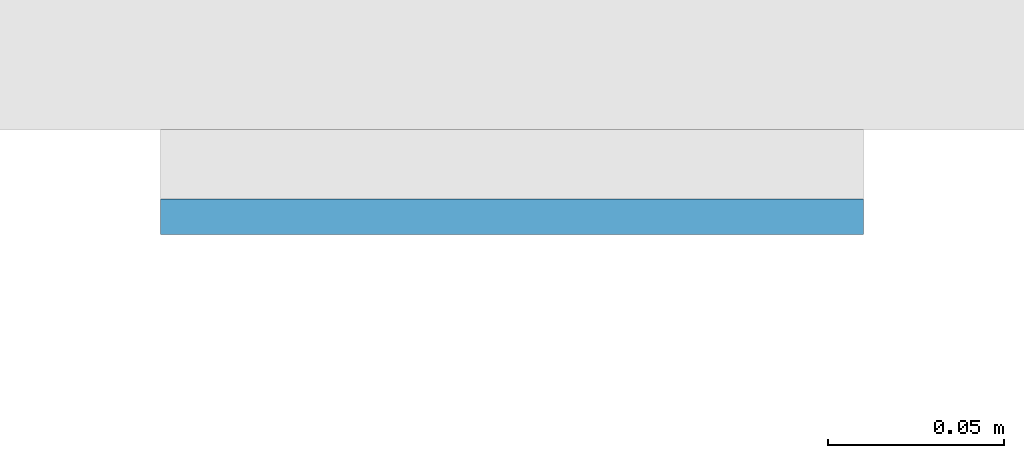
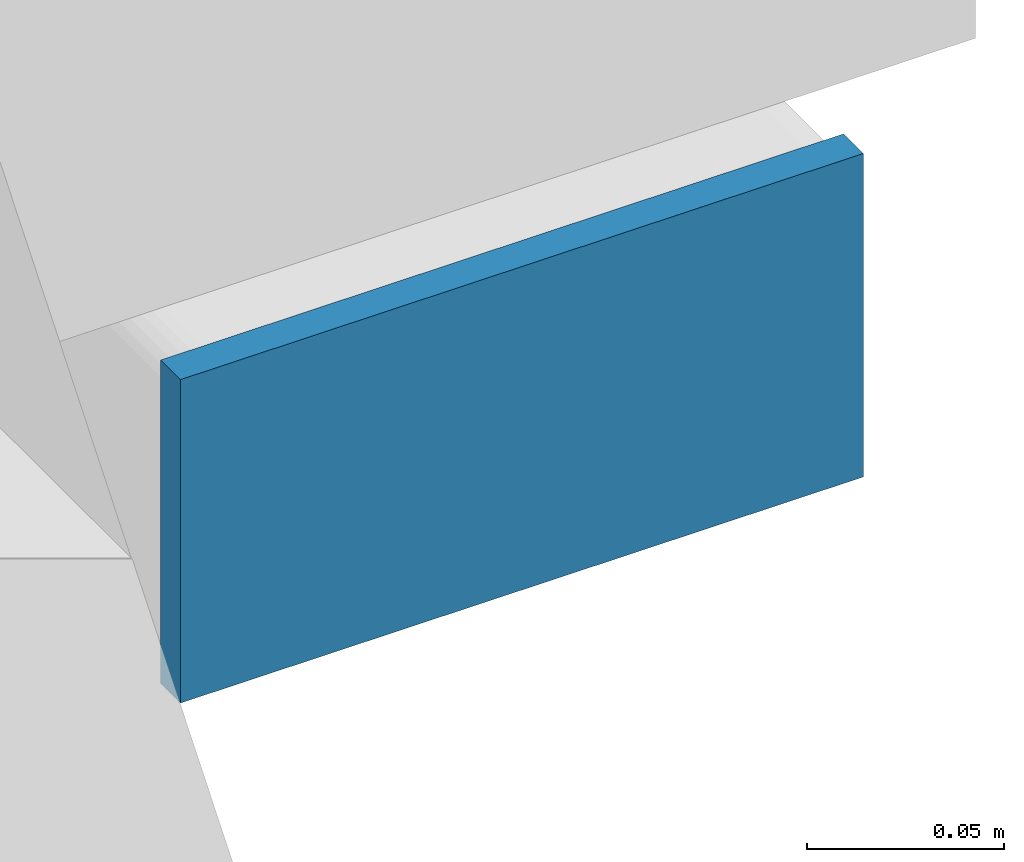
# One storey, part 5 of 12: 1 plate.
"""IFC4 building model written with IfcOpenShell, lengths in metres."""

import ifcopenshell
import ifcopenshell.guid

model = None  # the IFC model being written
_history = None  # IfcOwnerHistory: only IFC2X3 demands one
_inside = {}  # id of a spatial element -> (the spatial element, [elements in it])
_under = {}  # id of a project, library or spatial element -> (it, [spatial elements below it])
_declared = {}  # id of a project -> (the project, [libraries it declares])
_typed = {}  # id of a type object -> (the type object, [elements of that type])
_made_of = {}  # id of a material, layer set ... -> (it, [elements and type objects made of it])


def new_model(schema):
    """Start an empty IFC model of exactly this schema.

    Asked for "IFC4X3", IfcOpenShell would pick the latest addendum, in which some entities
    have other attributes; the version numbers below select the first issue.
    IFC2X3 requires an IfcOwnerHistory on every rooted entity: one is made here for all.
    """
    global model, _history
    if schema == "IFC4X3":
        model = ifcopenshell.file(schema_version=(4, 3, 0, 0))
    else:
        model = ifcopenshell.file(schema=schema)
    _inside.clear()
    _under.clear()
    _declared.clear()
    _typed.clear()
    _made_of.clear()
    _history = None
    if model.schema == "IFC2X3":
        org = make("IfcOrganization", Name="unknown")
        user = make(
            "IfcPersonAndOrganization",
            ThePerson=make("IfcPerson", FamilyName="unknown"),
            TheOrganization=org,
        )
        app = make(
            "IfcApplication",
            ApplicationDeveloper=org,
            Version="unknown",
            ApplicationFullName="unknown",
            ApplicationIdentifier="unknown",
        )
        _history = make(
            "IfcOwnerHistory",
            OwningUser=user,
            OwningApplication=app,
            ChangeAction="ADDED",
            CreationDate=0,
        )
    return model


def make(cls, **values):
    """One entity of the class cls with the attributes given. An attribute that is None is left unset."""
    return model.create_entity(
        cls, **{name: value for name, value in values.items() if value is not None}
    )


def rooted(cls, **values):
    """An entity with a GlobalId (a new one), such as an element, a storey or a relation."""
    return make(cls, GlobalId=ifcopenshell.guid.new(), OwnerHistory=_history, **values)


def si_unit(unit_type, name, prefix=None):
    """IfcSIUnit, for example si_unit("LENGTHUNIT", "METRE", prefix="MILLI")."""
    return make("IfcSIUnit", UnitType=unit_type, Prefix=prefix, Name=name)


def assignment(units):
    """IfcUnitAssignment: the units of a project."""
    return None if units is None else make("IfcUnitAssignment", Units=units)


def point(xyz):
    """IfcCartesianPoint."""
    return None if xyz is None else make("IfcCartesianPoint", Coordinates=xyz)


def direction(xyz):
    """IfcDirection."""
    return None if xyz is None else make("IfcDirection", DirectionRatios=xyz)


def frame(location, z_axis=None, x_axis=None):
    """IfcAxis2Placement3D, a coordinate frame: its origin and axes. An axis left out is left unset."""
    return make(
        "IfcAxis2Placement3D",
        Location=point(location),
        Axis=direction(z_axis),
        RefDirection=direction(x_axis),
    )


def frame_2d(location, x_axis=None):
    """IfcAxis2Placement2D, a coordinate frame in the plane: its origin and x axis."""
    return make(
        "IfcAxis2Placement2D", Location=point(location), RefDirection=direction(x_axis)
    )


def origin():
    """The frame at (0, 0, 0) with its axes left unset."""
    return frame((0.0, 0.0, 0.0))


def origin_2d():
    """The frame at (0, 0) in the plane with its x axis left unset."""
    return frame_2d((0.0, 0.0))


def place(relative_to, where):
    """IfcLocalPlacement: puts the frame where relative to a parent placement (None: the world)."""
    return make(
        "IfcLocalPlacement", PlacementRelTo=relative_to, RelativePlacement=where
    )


def context(
    kind, dimensions, precision=None, world=None, true_north=None, identifier=None
):
    """IfcGeometricRepresentationContext, for example the 3D "Model" context."""
    return make(
        "IfcGeometricRepresentationContext",
        ContextIdentifier=identifier,
        ContextType=kind,
        CoordinateSpaceDimension=dimensions,
        Precision=precision,
        WorldCoordinateSystem=world,
        TrueNorth=true_north,
    )


def subcontext(parent, identifier, kind, view, scale=None):
    """IfcGeometricRepresentationSubContext, for example "Body" below "Model"."""
    return make(
        "IfcGeometricRepresentationSubContext",
        ContextIdentifier=identifier,
        ContextType=kind,
        ParentContext=parent,
        TargetScale=scale,
        TargetView=view,
    )


def project(units=None, contexts=None):
    """IfcProject with its units and contexts."""
    return rooted(
        "IfcProject",
        Name="project",
        RepresentationContexts=contexts,
        UnitsInContext=assignment(units),
    )


def spatial(cls, under=None, at=None, **own):
    """A site, building, storey or space (cls), placed at a placement, below another one or the project."""
    s = rooted(cls, ObjectPlacement=at, **own)
    if under is not None:
        _under.setdefault(under.id(), (under, []))[1].append(s)
    return s


def profile(cls, at=None, kind="AREA", **sizes):
    """A parametric profile (cls). Its sizes go by their IFC names, for example OverallWidth=200.0."""
    return make(cls, ProfileType=kind, Position=at, **sizes)


def rectangle(**sizes):
    """IfcRectangleProfileDef."""
    return profile("IfcRectangleProfileDef", **sizes)


def extrude(swept, where, along, depth):
    """IfcExtrudedAreaSolid: the profile swept, set in the frame where, extruded along a direction by depth."""
    return make(
        "IfcExtrudedAreaSolid",
        SweptArea=swept,
        Position=where,
        ExtrudedDirection=direction(along),
        Depth=depth,
    )


def shape(context_of_items, identifier, shape_type, items):
    """IfcShapeRepresentation: the items that make up one representation, for example the "Body"."""
    return make(
        "IfcShapeRepresentation",
        ContextOfItems=context_of_items,
        RepresentationIdentifier=identifier,
        RepresentationType=shape_type,
        Items=items,
    )


def material(Name=None, Category=None):
    """IfcMaterial."""
    return make("IfcMaterial", Name=Name, Category=Category)


def layer(
    of_material, thickness, ventilated=None, Name=None, Category=None, Priority=None
):
    """IfcMaterialLayer: one layer of a wall or slab, of a material (None: an air gap)."""
    return make(
        "IfcMaterialLayer",
        Material=of_material,
        LayerThickness=thickness,
        IsVentilated=ventilated,
        Name=Name,
        Category=Category,
        Priority=Priority,
    )


def layer_set(layers, Name=None):
    """IfcMaterialLayerSet."""
    return make("IfcMaterialLayerSet", MaterialLayers=layers, LayerSetName=Name)


def made_of(thing, what):
    """Note that an element or type object is made of a material, layer set ...; save() writes the relation."""
    if what is not None:
        _made_of.setdefault(what.id(), (what, []))[1].append(thing)
    return thing


def type_object(cls, material=None, **own):
    """A type object (cls), such as IfcWallType, which elements share."""
    return made_of(rooted(cls, **own), material)


def element(
    cls,
    number,
    at=None,
    inside=None,
    cuts=None,
    type_object=None,
    material=None,
    context=None,
    identifier="Body",
    shape_type=None,
    held_by="IfcProductDefinitionShape",
    body=None,
    shapes=None,
    **own,
):
    """One element of the class cls, such as IfcWall. Its Tag is "e" and its number.

    at: its placement. inside: the storey or other place that contains it. cuts: it is an
    opening in that element (IfcRelVoidsElement). A single representation is given by context,
    identifier, shape_type and body (its items); several are given by shapes. held_by: the class
    of the entity that holds the representations. save() writes the other relations.
    """
    e = rooted(cls, Tag="e%d" % number, ObjectPlacement=at, **own)
    if body is not None:
        shapes = [shape(context, identifier, shape_type, body)]
    if shapes is not None:
        e.Representation = make(held_by, Representations=shapes)
    if inside is not None:
        _inside.setdefault(inside.id(), (inside, []))[1].append(e)
    if cuts is not None:
        rooted(
            "IfcRelVoidsElement", RelatingBuildingElement=cuts, RelatedOpeningElement=e
        )
    if type_object is not None:
        _typed.setdefault(type_object.id(), (type_object, []))[1].append(e)
    return made_of(e, material)


def aggregate(whole, parts):
    """IfcRelAggregates: a whole, such as a stair, and the parts it consists of."""
    return rooted("IfcRelAggregates", RelatingObject=whole, RelatedObjects=parts)


def save(model, path):
    """Write the relations noted so far, then the file.

    IfcRelAggregates (storeys below a building ...), IfcRelContainedInSpatialStructure (elements
    in a storey), IfcRelDefinesByType, IfcRelAssociatesMaterial and IfcRelDeclares: one each for
    every whole, place, type object, material and project.
    """
    for whole, parts in _under.values():
        aggregate(whole, parts)
    for where, things in _inside.values():
        rooted(
            "IfcRelContainedInSpatialStructure",
            RelatedElements=things,
            RelatingStructure=where,
        )
    for kind, things in _typed.values():
        rooted("IfcRelDefinesByType", RelatedObjects=things, RelatingType=kind)
    for what, things in _made_of.values():
        rooted("IfcRelAssociatesMaterial", RelatedObjects=things, RelatingMaterial=what)
    for by, libraries in _declared.values():
        rooted("IfcRelDeclares", RelatingContext=by, RelatedDefinitions=libraries)
    model.write(path)


model = new_model("IFC4")

# Units and contexts
model_context = context("Model", 3, precision=1e-05, world=origin(), true_north=direction((0.0, 1.0)))
body_context = subcontext(model_context, "Body", "Model", "MODEL_VIEW")
ifc_project = project(units=[si_unit("LENGTHUNIT", "METRE"), si_unit("AREAUNIT", "SQUARE_METRE"), si_unit("VOLUMEUNIT", "CUBIC_METRE"), si_unit("PLANEANGLEUNIT", "RADIAN"), si_unit("MASSUNIT", "GRAM", prefix="KILO")], contexts=[model_context])

# Site, building, storey
site_placement = place(None, origin())
site = spatial("IfcSite", under=ifc_project, at=site_placement, CompositionType="ELEMENT")
building_placement = place(site_placement, origin())
building = spatial("IfcBuilding", under=site, at=building_placement, Name="Cleftline Residences", CompositionType="ELEMENT")
storey_placement = place(building_placement, frame((0.0, 0.0, 241.199951171875)))
storey = spatial("IfcBuildingStorey", under=building, at=storey_placement, Name="L63", CompositionType="ELEMENT", Elevation=241.199951171875)

# Plate
ifc_material = material(Name="Steel S355, hot-dip galvanised", Category="steel")
ifc_layer = layer(ifc_material, 0.010009765625)
ifc_layer_set = layer_set([ifc_layer], Name="BAGUETTE CARRIER END PLATE 200X100X10")
plate_type = type_object("IfcPlateType", Name="BAGUETTE CARRIER END PLATE 200X100X10", PredefinedType="USERDEFINED", material=ifc_layer_set)
plate_placement = place(storey_placement, frame((66.85009765625, 3.695068359375, -0.10009765625), z_axis=(0.0, 0.0, 1.0), x_axis=(1.0, 0.0, 0.0)))
element("IfcPlate", 1, at=plate_placement, inside=storey, type_object=plate_type, Name="Baguette carrier end plate", ObjectType="BAGUETTE CARRIER END PLATE", PredefinedType="USERDEFINED", context=body_context, shape_type="SweptSolid", body=[
    extrude(rectangle(XDim=0.199951171875, YDim=0.010009765625, at=origin_2d()), origin(), (0.0, 0.0, 1.0), 0.10009765625),
])

save(model, "model.ifc")
